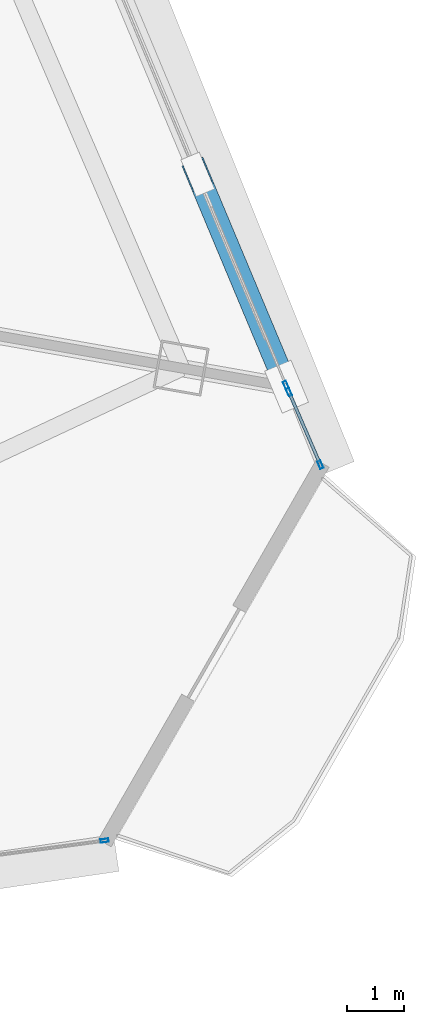
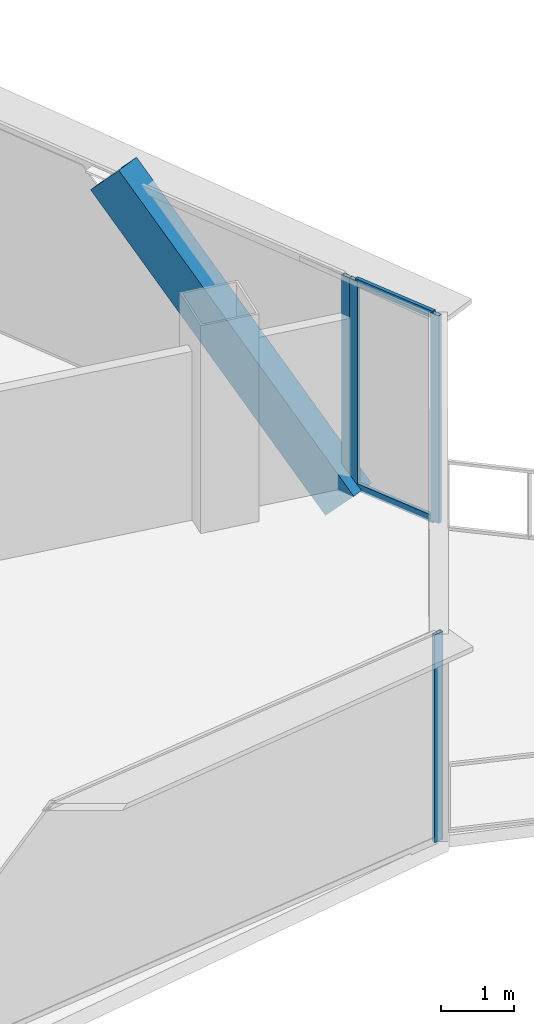
# One storey, part 27 of 37: 7 members, 3 elements without a shape of their own.
"""IFC4 building model written with IfcOpenShell, lengths in metres."""

from ifc_helpers import new_model, si_unit, direction, frame, origin, origin_2d, place, context, subcontext, project, spatial, hollow_rectangle, extrude, source, transform, mapped, material, layer, layer_set, material_profile, profile_set, type_object, element, aggregate, save


model = new_model("IFC4")

# Units and contexts
model_context = context("Model", 3, precision=1e-05, world=origin(), true_north=direction((0.0, 1.0)))
body_context = subcontext(model_context, "Body", "Model", "MODEL_VIEW")
ifc_project = project(units=[si_unit("LENGTHUNIT", "METRE"), si_unit("AREAUNIT", "SQUARE_METRE"), si_unit("VOLUMEUNIT", "CUBIC_METRE"), si_unit("PLANEANGLEUNIT", "RADIAN"), si_unit("MASSUNIT", "GRAM", prefix="KILO"), si_unit("THERMODYNAMICTEMPERATUREUNIT", "KELVIN"), si_unit("POWERUNIT", "WATT")], contexts=[model_context])

# Site, building, storey
site_placement = place(None, origin())
site = spatial("IfcSite", under=ifc_project, at=site_placement, CompositionType="ELEMENT")
building_placement = place(site_placement, origin())
building = spatial("IfcBuilding", under=site, at=building_placement, Name="Yunzhuo Pagoda Commons", CompositionType="ELEMENT")
storey_placement = place(building_placement, frame((0.0, 0.0, 255.719970703125)))
storey = spatial("IfcBuildingStorey", under=building, at=storey_placement, Name="L64", CompositionType="ELEMENT", Elevation=255.719970703125)

# Member
ifc_material_1 = material(Name="Structural steel Q355B", Category="steel")
ifc_material_profile_1 = material_profile(ifc_material_1, hollow_rectangle(XDim=0.39990234375, YDim=0.719970703125, WallThickness=0.02392578125, at=origin_2d()), Name="Structural steel Q355B")
ifc_profile_set_1 = profile_set([ifc_material_profile_1], Name="Structural steel Q355B")
member_type_1 = type_object("IfcMemberType", Name="M-DL2 Brace BOX 720x400x24", PredefinedType="BRACE", material=ifc_profile_set_1)
shared_shape_1 = source(origin(), body_context, "Body", "SweptSolid", [
    extrude(hollow_rectangle(XDim=0.39990234375, YDim=0.719970703125, WallThickness=0.02392578125, at=origin_2d()), origin(), (0.0, 0.0, 1.0), 5.498779296875),
])
member_1_placement = place(storey_placement, frame((81.7861328125, 27.74267578125, -0.260009765625), z_axis=(-0.283714437249, 0.677762266761, 0.678339463581), x_axis=(-0.922440988301, -0.386138088126, 0.0)))
element("IfcMember", 1, at=member_1_placement, inside=storey, type_object=member_type_1, Name="L64 facade diamond brace F2.1L", PredefinedType="BRACE", context=body_context, shape_type="MappedRepresentation", body=[
    mapped(shared_shape_1, transform((0.0, 0.0, 0.0), scale=1.0)),
])

# Curtain wall, member
ifc_material_2 = material(Name="Anodized aluminium 6063-T6", Category="aluminium")
ifc_layer = layer(ifc_material_2, 0.139892578125)
ifc_layer_set = layer_set([ifc_layer], Name="Anodized aluminium 6063-T6")
curtain_wall_type = type_object("IfcCurtainWallType", Name="CW-HI High-Zone Ribbon Curtain Wall", PredefinedType="NOTDEFINED", material=ifc_layer_set)
curtain_wall_1_placement = place(storey_placement, origin())
curtain_wall_1 = element("IfcCurtainWall", 2, at=curtain_wall_1_placement, inside=storey, type_object=curtain_wall_type, Name="L64 curtain wall CW-L64-F1B5", PredefinedType="NOTDEFINED")
ifc_material_profile_2 = material_profile(ifc_material_2, hollow_rectangle(XDim=0.06005859375, YDim=0.139892578125, WallThickness=0.00341796875, at=origin_2d()), Name="Anodized aluminium 6063-T6")
ifc_profile_set_2 = profile_set([ifc_material_profile_2], Name="Anodized aluminium 6063-T6")
member_type_2 = type_object("IfcMemberType", Name="CW-HI-M Mullion RHS 140x60x3.5", PredefinedType="MULLION", material=ifc_profile_set_2)
shared_shape_2 = source(origin(), body_context, "Body", "SweptSolid", [
    extrude(hollow_rectangle(XDim=0.06005859375, YDim=0.139892578125, WallThickness=0.00341796875, at=origin_2d()), origin(), (0.0, 0.0, 1.0), 3.469970703125),
])
member_2_placement = place(storey_placement, frame((78.5908203125, 19.772216796875, 0.0), z_axis=(0.0, 0.0, 1.0), x_axis=(-0.132663916926, 0.991161079314, 0.0)))
member_2 = element("IfcMember", 3, at=member_2_placement, type_object=member_type_2, Name="CW mullion 2", PredefinedType="MULLION", context=body_context, shape_type="MappedRepresentation", body=[
    mapped(shared_shape_2, transform((0.0, 0.0, 0.0), scale=1.0)),
])
aggregate(curtain_wall_1, [member_2])

curtain_wall_2_placement = place(storey_placement, origin())
curtain_wall_2 = element("IfcCurtainWall", 4, at=curtain_wall_2_placement, inside=storey, type_object=curtain_wall_type, Name="L64 curtain wall CW-L64-F2B2", PredefinedType="NOTDEFINED")
member_3_placement = place(storey_placement, frame((81.7744140625, 27.770263671875, 0.0), z_axis=(0.0, 0.0, 1.0), x_axis=(-0.922450521644, -0.38611531324, 0.0)))
member_3 = element("IfcMember", 5, at=member_3_placement, type_object=member_type_2, Name="CW mullion 1", PredefinedType="MULLION", context=body_context, shape_type="MappedRepresentation", body=[
    mapped(shared_shape_2, transform((0.0, 0.0, 0.0), scale=1.0)),
])
aggregate(curtain_wall_2, [member_3])

# Curtain wall, members
curtain_wall_3_placement = place(storey_placement, origin())
curtain_wall_3 = element("IfcCurtainWall", 6, at=curtain_wall_3_placement, inside=storey, type_object=curtain_wall_type, Name="L64 curtain wall CW-L64-F2B1", PredefinedType="NOTDEFINED")
member_4_placement = place(storey_placement, frame((82.379638671875, 26.37158203125, 0.0), z_axis=(0.0, 0.0, 1.0), x_axis=(-0.917707471295, -0.397256840254, 0.0)))
member_4 = element("IfcMember", 7, at=member_4_placement, type_object=member_type_2, Name="CW mullion 1", PredefinedType="MULLION", context=body_context, shape_type="MappedRepresentation", body=[
    mapped(shared_shape_2, transform((0.0, 0.0, 0.0), scale=1.0)),
])
member_5_placement = place(storey_placement, frame((81.827880859375, 27.646240234375, 0.0), z_axis=(0.0, 0.0, 1.0), x_axis=(-0.917707471295, -0.397256840254, 0.0)))
member_5 = element("IfcMember", 8, at=member_5_placement, type_object=member_type_2, Name="CW mullion 2", PredefinedType="MULLION", context=body_context, shape_type="MappedRepresentation", body=[
    mapped(shared_shape_2, transform((0.0, 0.0, 0.0), scale=1.0)),
])
ifc_material_profile_3 = material_profile(ifc_material_2, hollow_rectangle(XDim=0.054931640625, YDim=0.1201171875, WallThickness=0.00341796875, at=origin_2d()), Name="Anodized aluminium 6063-T6")
ifc_profile_set_3 = profile_set([ifc_material_profile_3], Name="Anodized aluminium 6063-T6")
member_type_3 = type_object("IfcMemberType", Name="CW-HI-T Transom RHS 120x55x3.5", PredefinedType="USERDEFINED", material=ifc_profile_set_3)
shared_shape_3 = source(origin(), body_context, "Body", "SweptSolid", [
    extrude(hollow_rectangle(XDim=0.054931640625, YDim=0.1201171875, WallThickness=0.00341796875, at=origin_2d()), origin(), (0.0, 0.0, 1.0), 1.328857421875),
])
member_6_placement = place(storey_placement, frame((82.36767578125, 26.399169921875, 0.027587890625), z_axis=(-0.39722069625, 0.917723116452, 0.0), x_axis=(-0.917723116452, -0.39722069625, 0.0)))
member_6 = element("IfcMember", 9, at=member_6_placement, type_object=member_type_3, Name="CW transom 1.1", ObjectType="TRANSOM", PredefinedType="USERDEFINED", context=body_context, shape_type="MappedRepresentation", body=[
    mapped(shared_shape_3, transform((0.0, 0.0, 0.0), scale=1.0)),
])
member_7_placement = place(storey_placement, frame((82.36767578125, 26.399169921875, 3.442626953125), z_axis=(-0.39722069625, 0.917723116452, 0.0), x_axis=(-0.917723116452, -0.39722069625, 0.0)))
member_7 = element("IfcMember", 10, at=member_7_placement, type_object=member_type_3, Name="CW transom 1.2", ObjectType="TRANSOM", PredefinedType="USERDEFINED", context=body_context, shape_type="MappedRepresentation", body=[
    mapped(shared_shape_3, transform((0.0, 0.0, 0.0), scale=1.0)),
])
aggregate(curtain_wall_3, [member_4, member_5, member_6, member_7])

save(model, "model.ifc")
